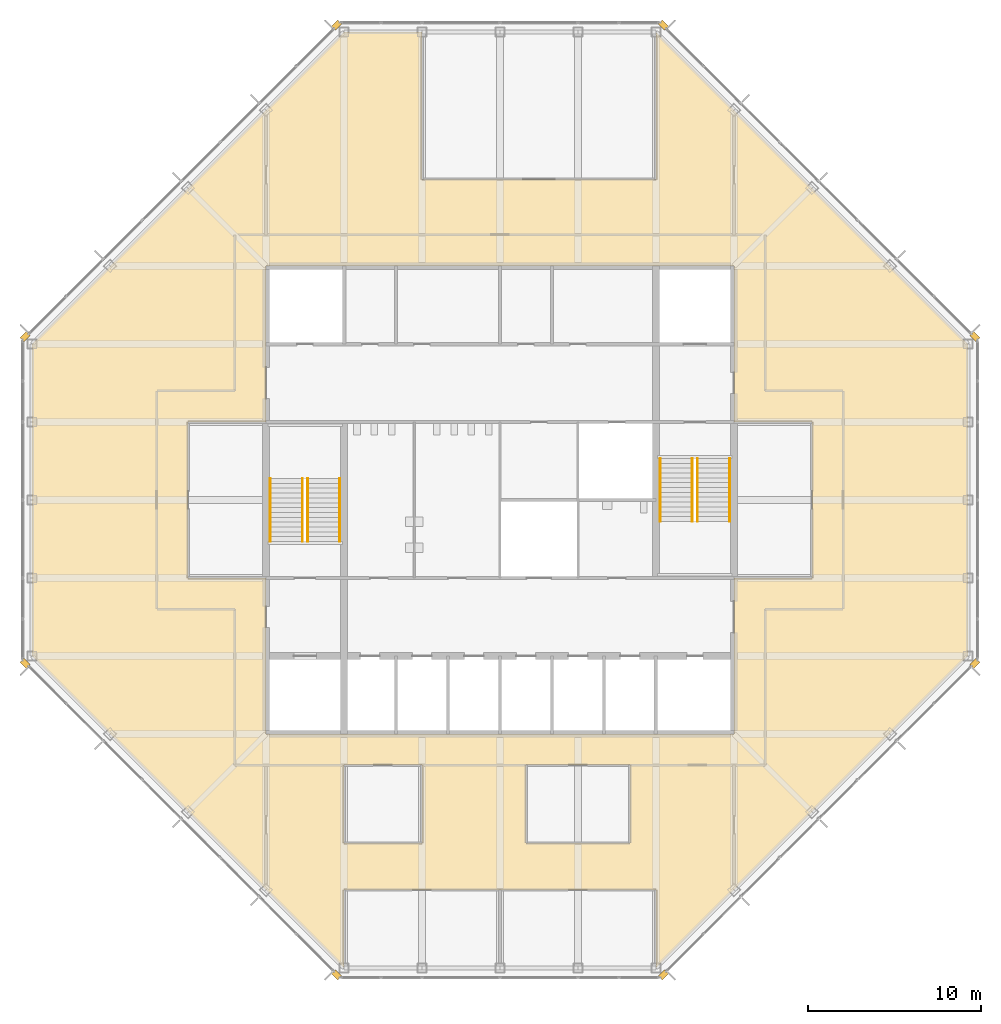
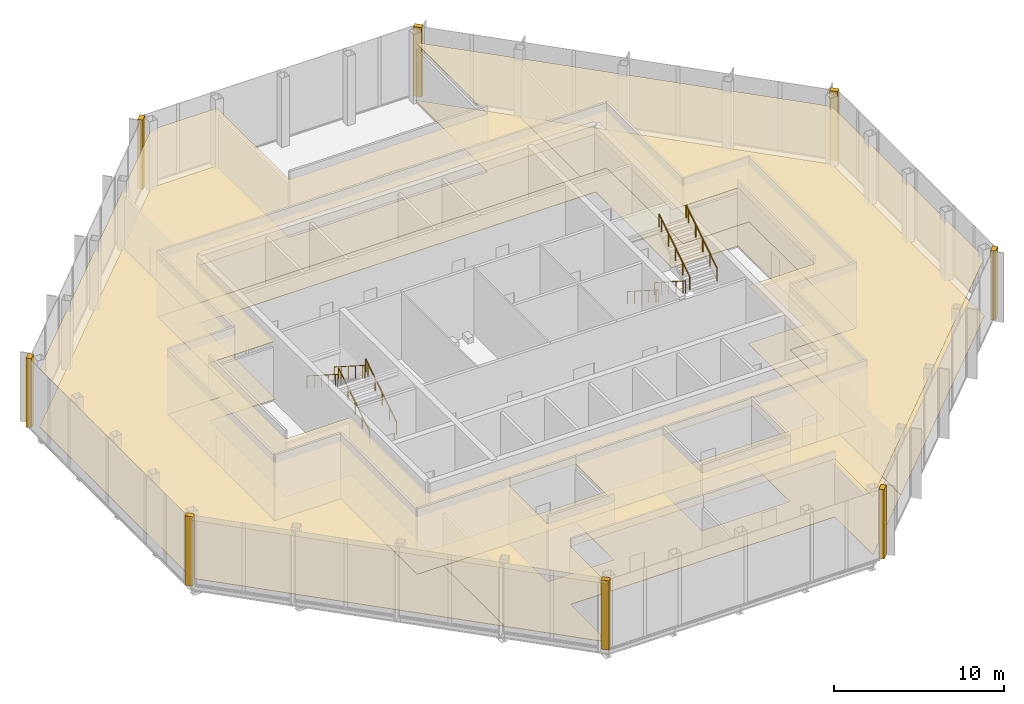
# One storey, part 10 of 11: 14 coverings, 8 railings.
"""IFC4 building model written with IfcOpenShell, lengths in metres."""

from ifc_helpers import new_model, si_unit, direction, frame, origin, origin_2d, place, context, subcontext, project, spatial, polyline, circle, outline, extrude, material, layer, layer_set, type_object, element, save


model = new_model("IFC4")

# Units and contexts
model_context = context("Model", 3, precision=1e-05, world=origin(), true_north=direction((0.0, 1.0)))
body_context = subcontext(model_context, "Body", "Model", "MODEL_VIEW")
ifc_project = project(units=[si_unit("LENGTHUNIT", "METRE"), si_unit("AREAUNIT", "SQUARE_METRE"), si_unit("VOLUMEUNIT", "CUBIC_METRE"), si_unit("PLANEANGLEUNIT", "RADIAN"), si_unit("MASSUNIT", "GRAM", prefix="KILO")], contexts=[model_context])

# Site, building, storey
site_placement = place(None, origin())
site = spatial("IfcSite", under=ifc_project, at=site_placement, CompositionType="ELEMENT")
building_placement = place(site_placement, origin())
building = spatial("IfcBuilding", under=site, at=building_placement, Name="Corais Broadcast Tower", CompositionType="ELEMENT")
storey_placement = place(building_placement, frame((0.0, 0.0, 315.10009765625)))
storey = spatial("IfcBuildingStorey", under=building, at=storey_placement, Name="L74", CompositionType="ELEMENT", Elevation=315.10009765625)

# Railings
ifc_material_1 = material(Name="Stainless steel handrail", Category="steel")
railing_type = type_object("IfcRailingType", Name="Handrail 920", PredefinedType="HANDRAIL", material=ifc_material_1)
for number, where, name in (
    (1, (17.75, 24.60009765625, 0.178466796875), "HR1 L74"),
    (2, (15.89990234375, 24.60009765625, 0.178466796875), "HR1 L74"),
):
    element("IfcRailing", number, at=place(storey_placement, frame(where)), inside=storey, type_object=railing_type, Name=name, PredefinedType="HANDRAIL", context=body_context, shape_type="SweptSolid", body=[
        extrude(circle(Radius=0.02392578125, at=origin_2d()), frame((0.0, 0.0, 0.89599609375), z_axis=(0.0, 0.843111507901, 0.53773877045), x_axis=(-1.0, 0.0, 0.0)), (0.0, 0.0, 1.0), 4.317138671875),
        extrude(circle(Radius=0.02099609375, at=origin_2d()), origin(), (0.0, 0.0, 1.0), 0.871826171875),
        extrude(circle(Radius=0.02099609375, at=origin_2d()), frame((0.0, 0.840087890625, 0.53564453125)), (0.0, 0.0, 1.0), 0.871826171875),
        extrude(circle(Radius=0.02099609375, at=origin_2d()), frame((0.0, 1.679931640625, 1.071533203125)), (0.0, 0.0, 1.0), 0.871826171875),
        extrude(circle(Radius=0.02099609375, at=origin_2d()), frame((0.0, 2.52001953125, 1.607177734375)), (0.0, 0.0, 1.0), 0.871826171875),
        extrude(circle(Radius=0.02099609375, at=origin_2d()), frame((0.0, 3.35986328125, 2.14306640625)), (0.0, 0.0, 1.0), 0.871826171875),
        extrude(circle(Radius=0.02099609375, at=origin_2d()), frame((0.0, 3.639892578125, 2.321533203125)), (0.0, 0.0, 1.0), 0.871826171875),
    ])
for number, where, name in (
    (3, (13.75, 28.239990234375, 2.678466796875), "HR1 L74"),
    (4, (15.60009765625, 28.239990234375, 2.678466796875), "HR1 L74"),
    (5, (36.25, 29.39990234375, 0.178466796875), "HR1 L74"),
    (6, (38.10009765625, 29.39990234375, 0.178466796875), "HR1 L74"),
):
    element("IfcRailing", number, at=place(storey_placement, frame(where)), inside=storey, type_object=railing_type, Name=name, PredefinedType="HANDRAIL", context=body_context, shape_type="SweptSolid", body=[
        extrude(circle(Radius=0.02392578125, at=origin_2d()), frame((0.0, 0.0, 0.89599609375), z_axis=(0.0, -0.843111507901, 0.53773877045), x_axis=(1.0, 0.0, 0.0)), (0.0, 0.0, 1.0), 4.317138671875),
        extrude(circle(Radius=0.02099609375, at=origin_2d()), origin(), (0.0, 0.0, 1.0), 0.871826171875),
        extrude(circle(Radius=0.02099609375, at=origin_2d()), frame((0.0, -0.840087890625, 0.53564453125)), (0.0, 0.0, 1.0), 0.871826171875),
        extrude(circle(Radius=0.02099609375, at=origin_2d()), frame((0.0, -1.679931640625, 1.071533203125)), (0.0, 0.0, 1.0), 0.871826171875),
        extrude(circle(Radius=0.02099609375, at=origin_2d()), frame((0.0, -2.52001953125, 1.607177734375)), (0.0, 0.0, 1.0), 0.871826171875),
        extrude(circle(Radius=0.02099609375, at=origin_2d()), frame((0.0, -3.35986328125, 2.14306640625)), (0.0, 0.0, 1.0), 0.871826171875),
        extrude(circle(Radius=0.02099609375, at=origin_2d()), frame((0.0, -3.639892578125, 2.321533203125)), (0.0, 0.0, 1.0), 0.871826171875),
    ])
for number, where, name in (
    (7, (40.25, 25.760009765625, 2.678466796875), "HR1 L74"),
    (8, (38.39990234375, 25.760009765625, 2.678466796875), "HR1 L74"),
):
    element("IfcRailing", number, at=place(storey_placement, frame(where)), inside=storey, type_object=railing_type, Name=name, PredefinedType="HANDRAIL", context=body_context, shape_type="SweptSolid", body=[
        extrude(circle(Radius=0.02392578125, at=origin_2d()), frame((0.0, 0.0, 0.89599609375), z_axis=(0.0, 0.843111507901, 0.53773877045), x_axis=(-1.0, 0.0, 0.0)), (0.0, 0.0, 1.0), 4.317138671875),
        extrude(circle(Radius=0.02099609375, at=origin_2d()), origin(), (0.0, 0.0, 1.0), 0.871826171875),
        extrude(circle(Radius=0.02099609375, at=origin_2d()), frame((0.0, 0.840087890625, 0.53564453125)), (0.0, 0.0, 1.0), 0.871826171875),
        extrude(circle(Radius=0.02099609375, at=origin_2d()), frame((0.0, 1.679931640625, 1.071533203125)), (0.0, 0.0, 1.0), 0.871826171875),
        extrude(circle(Radius=0.02099609375, at=origin_2d()), frame((0.0, 2.52001953125, 1.607177734375)), (0.0, 0.0, 1.0), 0.871826171875),
        extrude(circle(Radius=0.02099609375, at=origin_2d()), frame((0.0, 3.35986328125, 2.14306640625)), (0.0, 0.0, 1.0), 0.871826171875),
        extrude(circle(Radius=0.02099609375, at=origin_2d()), frame((0.0, 3.639892578125, 2.321533203125)), (0.0, 0.0, 1.0), 0.871826171875),
    ])

# Coverings
ifc_material_2 = material(Name="Granite stone cladding", Category="masonry")
ifc_layer_1 = layer(ifc_material_2, 0.324951171875)
ifc_layer_set_1 = layer_set([ifc_layer_1], Name="Granite stone cladding")
covering_type_1 = type_object("IfcCoveringType", Name="Stone corner pier cladding 500x325", PredefinedType="CLADDING", material=ifc_layer_set_1)
covering_1_placement = place(storey_placement, origin())
element("IfcCovering", 9, at=covering_1_placement, inside=storey, type_object=covering_type_1, Name="SP1 stone corner pier L74", PredefinedType="CLADDING", context=body_context, shape_type="SweptSolid", body=[
    extrude(outline(polyline([(17.860595703125, -0.461669921875), (17.507080078125, -0.108154296875), (17.277099609375, -0.337890625), (17.630859375, -0.69140625), (17.860595703125, -0.461669921875)])), origin(), (0.0, 0.0, 1.0), 5.0),
])
covering_2_placement = place(storey_placement, origin())
element("IfcCovering", 10, at=covering_2_placement, inside=storey, type_object=covering_type_1, Name="SP1 stone corner pier L74", PredefinedType="CLADDING", context=body_context, shape_type="SweptSolid", body=[
    extrude(outline(polyline([(-0.461669921875, 17.860595703125), (-0.69140625, 17.630859375), (-0.337890625, 17.277099609375), (-0.108154296875, 17.507080078125), (-0.461669921875, 17.860595703125)])), origin(), (0.0, 0.0, 1.0), 5.0),
])
covering_3_placement = place(storey_placement, origin())
element("IfcCovering", 11, at=covering_3_placement, inside=storey, type_object=covering_type_1, Name="SP1 stone corner pier L74", PredefinedType="CLADDING", context=body_context, shape_type="SweptSolid", body=[
    extrude(outline(polyline([(-0.461669921875, 36.139404296875), (-0.108154296875, 36.492919921875), (-0.337890625, 36.722900390625), (-0.69140625, 36.369140625), (-0.461669921875, 36.139404296875)])), origin(), (0.0, 0.0, 1.0), 5.0),
])
covering_4_placement = place(storey_placement, origin())
element("IfcCovering", 12, at=covering_4_placement, inside=storey, type_object=covering_type_1, Name="SP1 stone corner pier L74", PredefinedType="CLADDING", context=body_context, shape_type="SweptSolid", body=[
    extrude(outline(polyline([(17.860595703125, 54.461669921875), (17.630859375, 54.69140625), (17.277099609375, 54.337890625), (17.507080078125, 54.108154296875), (17.860595703125, 54.461669921875)])), origin(), (0.0, 0.0, 1.0), 5.0),
])
covering_5_placement = place(storey_placement, origin())
element("IfcCovering", 13, at=covering_5_placement, inside=storey, type_object=covering_type_1, Name="SP1 stone corner pier L74", PredefinedType="CLADDING", context=body_context, shape_type="SweptSolid", body=[
    extrude(outline(polyline([(36.139404296875, 54.461669921875), (36.492919921875, 54.108154296875), (36.722900390625, 54.337890625), (36.369140625, 54.69140625), (36.139404296875, 54.461669921875)])), origin(), (0.0, 0.0, 1.0), 5.0),
])
covering_6_placement = place(storey_placement, origin())
element("IfcCovering", 14, at=covering_6_placement, inside=storey, type_object=covering_type_1, Name="SP1 stone corner pier L74", PredefinedType="CLADDING", context=body_context, shape_type="SweptSolid", body=[
    extrude(outline(polyline([(54.461669921875, 36.139404296875), (54.69140625, 36.369140625), (54.337890625, 36.722900390625), (54.108154296875, 36.492919921875), (54.461669921875, 36.139404296875)])), origin(), (0.0, 0.0, 1.0), 5.0),
])
covering_7_placement = place(storey_placement, origin())
element("IfcCovering", 15, at=covering_7_placement, inside=storey, type_object=covering_type_1, Name="SP1 stone corner pier L74", PredefinedType="CLADDING", context=body_context, shape_type="SweptSolid", body=[
    extrude(outline(polyline([(54.461669921875, 17.860595703125), (54.108154296875, 17.507080078125), (54.337890625, 17.277099609375), (54.69140625, 17.630859375), (54.461669921875, 17.860595703125)])), origin(), (0.0, 0.0, 1.0), 5.0),
])
covering_8_placement = place(storey_placement, origin())
element("IfcCovering", 16, at=covering_8_placement, inside=storey, type_object=covering_type_1, Name="SP1 stone corner pier L74", PredefinedType="CLADDING", context=body_context, shape_type="SweptSolid", body=[
    extrude(outline(polyline([(36.139404296875, -0.461669921875), (36.369140625, -0.69140625), (36.722900390625, -0.337890625), (36.492919921875, -0.108154296875), (36.139404296875, -0.461669921875)])), origin(), (0.0, 0.0, 1.0), 5.0),
])
ifc_material_3 = material(Name="Granite stone flooring", Category="masonry")
ifc_layer_2 = layer(ifc_material_3, 0.030029296875)
ifc_layer_set_2 = layer_set([ifc_layer_2], Name="Granite stone flooring")
covering_type_2 = type_object("IfcCoveringType", Name="Stone floor finish", PredefinedType="FLOORING", material=ifc_layer_set_2)
covering_9_placement = place(storey_placement, origin())
element("IfcCovering", 17, at=covering_9_placement, inside=storey, type_object=covering_type_2, Name="FF1 floor finish L74", PredefinedType="FLOORING", context=body_context, shape_type="SweptSolid", body=[
    extrude(outline(polyline([(22.5, 54.0), (22.5, 45.5), (36.0, 45.5), (36.0, 54.0), (40.5, 49.5), (40.5, 42.300048828125), (13.5, 42.300048828125), (13.5, 49.5), (18.0, 54.0), (22.5, 54.0)])), origin(), (0.0, 0.0, 1.0), 0.02978515625),
])
covering_10_placement = place(storey_placement, origin())
element("IfcCovering", 18, at=covering_10_placement, inside=storey, type_object=covering_type_2, Name="FF1 floor finish L74", PredefinedType="FLOORING", context=body_context, shape_type="SweptSolid", body=[
    extrude(outline(polyline([(54.0, 36.0), (54.0, 18.0), (40.5, 4.5), (40.5, 11.699951171875), (42.300048828125, 11.699951171875), (42.300048828125, 20.699951171875), (46.800048828125, 20.699951171875), (46.800048828125, 33.300048828125), (42.300048828125, 33.300048828125), (42.300048828125, 42.300048828125), (40.5, 42.300048828125), (40.5, 49.5), (54.0, 36.0)])), origin(), (0.0, 0.0, 1.0), 0.02978515625),
])
covering_11_placement = place(storey_placement, origin())
element("IfcCovering", 19, at=covering_11_placement, inside=storey, type_object=covering_type_2, Name="FF1 floor finish L74", PredefinedType="FLOORING", context=body_context, shape_type="SweptSolid", body=[
    extrude(outline(polyline([(36.0, 0.0), (36.0, 4.5), (27.0, 4.5), (18.0, 4.5), (18.0, 0.0), (13.5, 4.5), (13.5, 11.699951171875), (18.0, 11.699951171875), (18.0, 7.199951171875), (22.5, 7.199951171875), (22.5, 11.699951171875), (28.5, 11.699951171875), (28.5, 7.199951171875), (34.5, 7.199951171875), (34.5, 11.699951171875), (40.5, 11.699951171875), (40.5, 4.5), (36.0, 0.0)])), origin(), (0.0, 0.0, 1.0), 0.02978515625),
])
covering_12_placement = place(storey_placement, origin())
element("IfcCovering", 20, at=covering_12_placement, inside=storey, type_object=covering_type_2, Name="FF1 floor finish L74", PredefinedType="FLOORING", context=body_context, shape_type="SweptSolid", body=[
    extrude(outline(polyline([(0.0, 18.0), (0.0, 36.0), (13.5, 49.5), (13.5, 42.300048828125), (11.699951171875, 42.300048828125), (11.699951171875, 33.300048828125), (7.199951171875, 33.300048828125), (7.199951171875, 20.699951171875), (11.699951171875, 20.699951171875), (11.699951171875, 11.699951171875), (13.5, 11.699951171875), (13.5, 4.5), (0.0, 18.0)])), origin(), (0.0, 0.0, 1.0), 0.02978515625),
])
covering_13_placement = place(storey_placement, origin())
element("IfcCovering", 21, at=covering_13_placement, inside=storey, type_object=covering_type_2, Name="FF1 floor finish L74", PredefinedType="FLOORING", context=body_context, shape_type="SweptSolid", body=[
    extrude(outline(polyline([(42.300048828125, 42.300048828125), (42.300048828125, 33.300048828125), (46.800048828125, 33.300048828125), (46.800048828125, 20.699951171875), (42.300048828125, 20.699951171875), (42.300048828125, 11.699951171875), (34.5, 11.699951171875), (28.5, 11.699951171875), (22.5, 11.699951171875), (18.0, 11.699951171875), (11.699951171875, 11.699951171875), (11.699951171875, 20.699951171875), (7.199951171875, 20.699951171875), (7.199951171875, 33.300048828125), (11.699951171875, 33.300048828125), (11.699951171875, 42.300048828125), (42.300048828125, 42.300048828125)]), holes=[polyline([(13.5, 13.5), (40.5, 13.5), (40.5, 22.5), (45.0, 22.5), (45.0, 31.5), (40.5, 31.5), (40.5, 40.5), (13.5, 40.5), (13.5, 31.5), (9.0, 31.5), (9.0, 22.5), (13.5, 22.5), (13.5, 13.5)])]), origin(), (0.0, 0.0, 1.0), 0.02978515625),
])
ifc_material_4 = material(Name="Mineral fibre ceiling tile", Category="mineral")
ifc_layer_3 = layer(ifc_material_4, 0.02001953125)
ifc_layer_set_3 = layer_set([ifc_layer_3], Name="Mineral fibre ceiling tile")
covering_type_3 = type_object("IfcCoveringType", Name="Suspended ceiling", PredefinedType="CEILING", material=ifc_layer_set_3)
covering_14_placement = place(storey_placement, frame((0.0, 0.0, 4.179931640625)))
element("IfcCovering", 22, at=covering_14_placement, inside=storey, type_object=covering_type_3, Name="CE1 ceiling L74", PredefinedType="CEILING", context=body_context, shape_type="SweptSolid", body=[
    extrude(outline(polyline([(13.5, 49.5), (13.5, 49.5), (18.0, 54.0), (22.5, 54.0), (22.5, 45.5), (36.0, 45.5), (36.0, 54.0), (54.0, 36.0), (54.0, 18.0), (40.500244140625, 4.500244140625), (40.498779296875, 4.498779296875), (40.498291015625, 4.498291015625), (36.0, 0.0), (36.0, 4.5), (18.0, 4.5), (18.0, 0.0), (13.501708984375, 4.498291015625), (13.499755859375, 4.500244140625), (0.0, 18.0), (0.0, 36.0), (13.5, 49.5)]), holes=[polyline([(40.5, 22.5), (45.0, 22.5), (45.0, 31.5), (40.5, 31.5), (40.5, 40.5), (13.5, 40.5), (13.5, 31.5), (9.0, 31.5), (9.0, 22.5), (13.5, 22.5), (13.5, 13.5), (40.5, 13.5), (40.5, 22.5)]), polyline([(34.5, 7.199951171875), (34.5, 11.699951171875), (28.5, 11.699951171875), (28.5, 7.199951171875), (34.5, 7.199951171875)]), polyline([(22.5, 7.199951171875), (22.5, 11.699951171875), (18.0, 11.699951171875), (18.0, 7.199951171875), (22.5, 7.199951171875)])]), origin(), (0.0, 0.0, 1.0), 0.02001953125),
])

save(model, "model.ifc")
